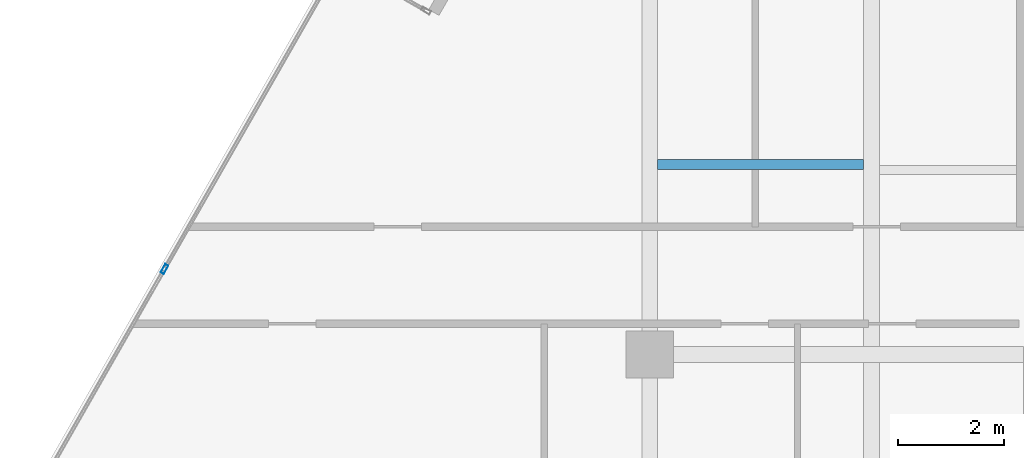
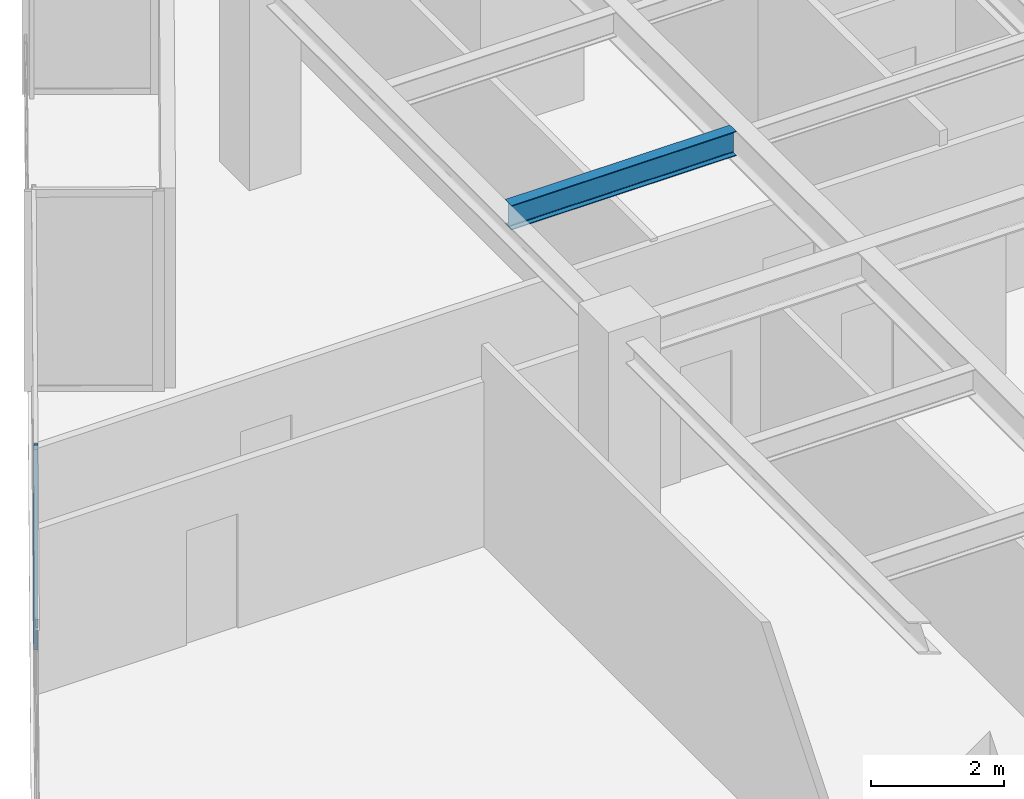
# One storey, part 7 of 24: 1 beam, 1 member, 1 element without a shape of its own.
"""IFC4 building model written with IfcOpenShell, lengths in metres."""

from ifc_helpers import new_model, si_unit, direction, frame, origin, origin_2d, place, context, subcontext, project, spatial, hollow_rectangle, i_section, extrude, source, transform, mapped, material, material_profile, profile_set, type_object, type_shapes, element, aggregate, save


model = new_model("IFC4")

# Units and contexts
model_context = context("Model", 3, precision=1e-05, world=origin(), true_north=direction((0.0, 1.0)))
body_context = subcontext(model_context, "Body", "Model", "MODEL_VIEW")
ifc_project = project(units=[si_unit("LENGTHUNIT", "METRE"), si_unit("AREAUNIT", "SQUARE_METRE"), si_unit("VOLUMEUNIT", "CUBIC_METRE"), si_unit("PLANEANGLEUNIT", "RADIAN"), si_unit("MASSUNIT", "GRAM", prefix="KILO")], contexts=[model_context])

# Site, building, storey
site_placement = place(None, origin())
site = spatial("IfcSite", under=ifc_project, at=site_placement, CompositionType="ELEMENT")
building_placement = place(site_placement, origin())
building = spatial("IfcBuilding", under=site, at=building_placement, Name="Krantzveldt Concourse Tower", CompositionType="ELEMENT")
storey_placement = place(building_placement, frame((0.0, 0.0, 169.89990234375)))
storey = spatial("IfcBuildingStorey", under=building, at=storey_placement, Name="L41", CompositionType="ELEMENT", Elevation=169.89990234375)

# Beam
ifc_material_1 = material(Name="Steel S355JR", Category="steel")
ifc_material_profile_1 = material_profile(ifc_material_1, i_section(OverallWidth=0.18994140625, OverallDepth=0.449951171875, WebThickness=0.009521484375, FlangeThickness=0.0146484375, FilletRadius=0.02099609375, at=origin_2d()), Name="Steel S355JR", Category="steel")
ifc_profile_set_1 = profile_set([ifc_material_profile_1], Name="Steel S355JR - IPE 450")
beam_type = type_object("IfcBeamType", Name="BM-J-IPE450", PredefinedType="JOIST", material=ifc_profile_set_1)
shared_shape_1 = source(origin(), body_context, "Body", "SweptSolid", [
    extrude(i_section(OverallWidth=0.18994140625, OverallDepth=0.449951171875, WebThickness=0.009521484375, FlangeThickness=0.0146484375, FilletRadius=0.02099609375, at=origin_2d()), origin(), (0.0, 0.0, 1.0), 3.900146484375),
])
type_shapes(beam_type, [shared_shape_1])
beam_placement = place(storey_placement, frame((21.14990234375, 30.300048828125, 3.445068359375), z_axis=(1.0, 0.0, 0.0), x_axis=(0.0, 1.0, 0.0)))
element("IfcBeam", 1, at=beam_placement, inside=storey, type_object=beam_type, Name="L41 Secondary Floor Joist JW-3", PredefinedType="JOIST", context=body_context, shape_type="MappedRepresentation", body=[
    mapped(shared_shape_1, transform((0.0, 0.0, 0.0), x_axis=(1.0, 0.0, 0.0), y_axis=(0.0, 1.0, 0.0), z_axis=(0.0, 0.0, 1.0), scale=1.0)),
])

# Curtain wall, member
ifc_material_2 = material(Name="Anodised aluminium 6063-T6", Category="aluminium")
curtain_wall_type = type_object("IfcCurtainWallType", Name="CW3", PredefinedType="USERDEFINED", material=ifc_material_2)
curtain_wall_placement = place(storey_placement, origin())
curtain_wall = element("IfcCurtainWall", 2, at=curtain_wall_placement, inside=storey, type_object=curtain_wall_type, Name="CW-L41-F05", ObjectType="UNITISED CURTAIN WALL", PredefinedType="USERDEFINED")
ifc_material_profile_2 = material_profile(ifc_material_2, hollow_rectangle(XDim=0.070068359375, YDim=0.179931640625, WallThickness=0.0048828125, at=origin_2d()), Name="Anodised aluminium 6063-T6", Category="aluminium")
ifc_profile_set_2 = profile_set([ifc_material_profile_2], Name="Anodised aluminium 6063-T6 - ALU-MULL 180x70x5")
member_type = type_object("IfcMemberType", Name="CW-MUL-180", PredefinedType="MULLION", material=ifc_profile_set_2)
shared_shape_2 = source(origin(), body_context, "Body", "SweptSolid", [
    extrude(hollow_rectangle(XDim=0.070068359375, YDim=0.179931640625, WallThickness=0.0048828125, at=origin_2d()), origin(), (0.0, 0.0, 1.0), 3.670166015625),
])
type_shapes(member_type, [shared_shape_2])
member_placement = place(storey_placement, frame((11.8046875, 28.319580078125, 0.0), z_axis=(0.0, 0.0, 1.0), x_axis=(0.868199066314, -0.496216063073, 0.0)))
member = element("IfcMember", 3, at=member_placement, type_object=member_type, Name="CW-Z34 mullion 2", PredefinedType="MULLION", context=body_context, shape_type="MappedRepresentation", body=[
    mapped(shared_shape_2, transform((0.0, 0.0, 0.0), x_axis=(1.0, 0.0, 0.0), y_axis=(0.0, 1.0, 0.0), z_axis=(0.0, 0.0, 1.0), scale=1.0)),
])
aggregate(curtain_wall, [member])

save(model, "model.ifc")
